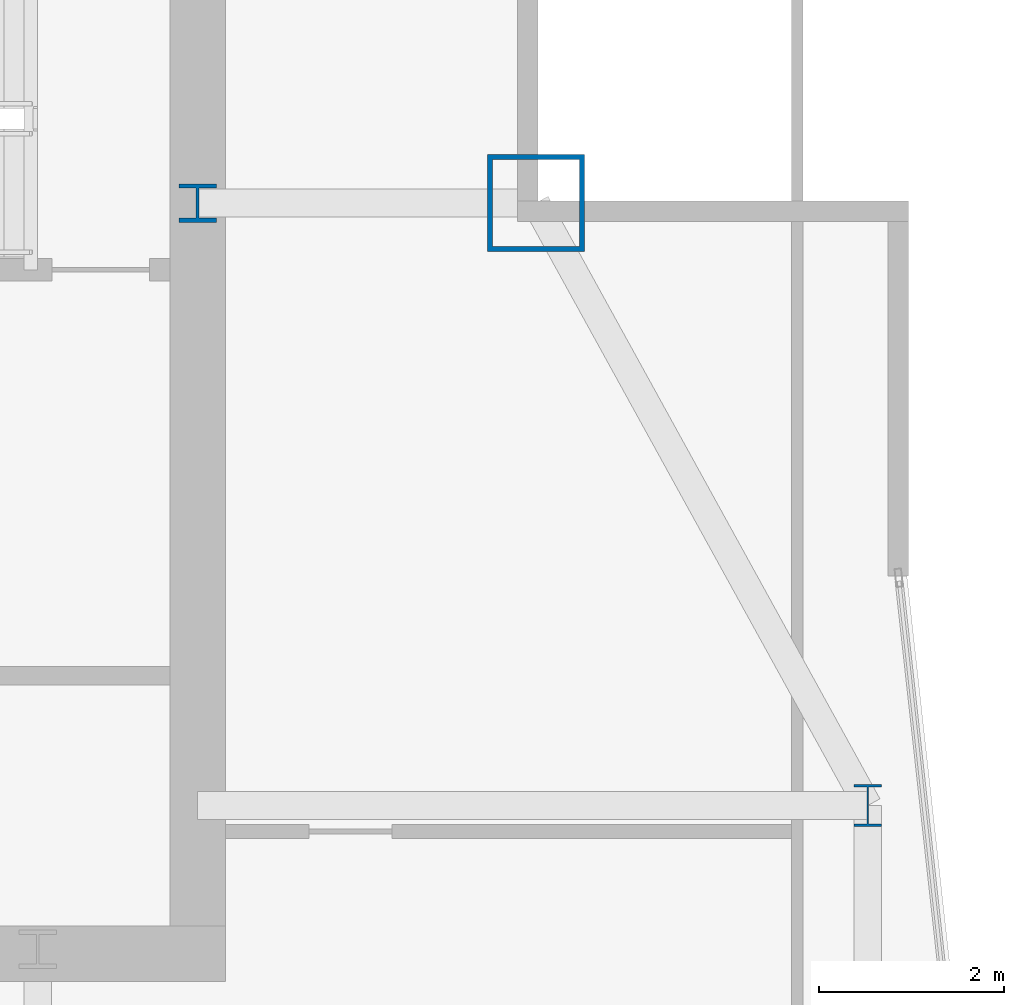
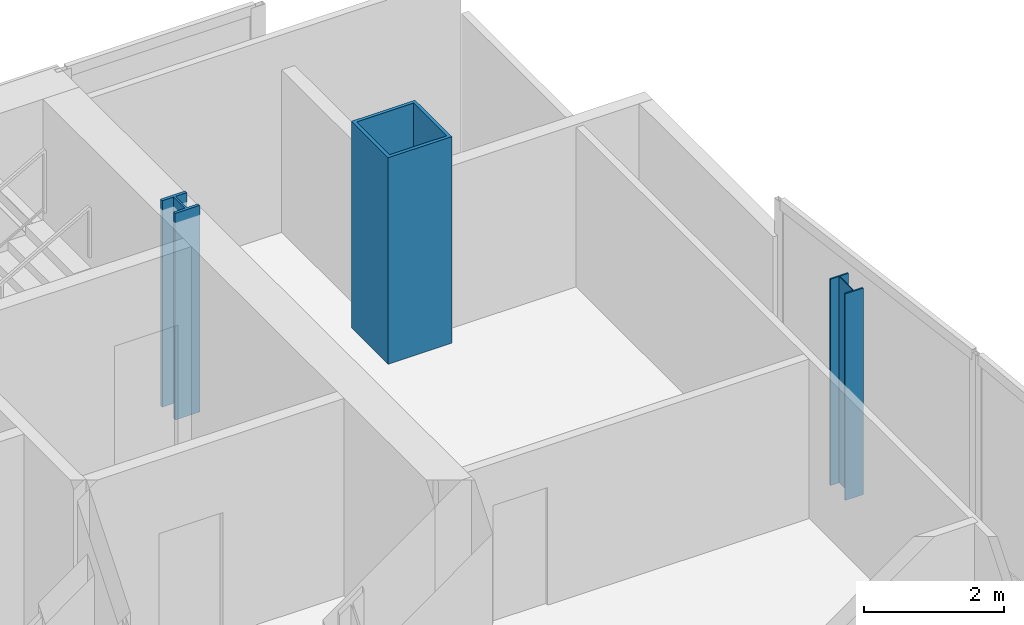
# One storey, part 4 of 29: 3 columns.
"""IFC4 building model written with IfcOpenShell, lengths in metres."""

from ifc_helpers import new_model, si_unit, direction, frame, origin, origin_2d, place, context, subcontext, project, spatial, hollow_rectangle, i_section, extrude, material, material_profile, profile_set, type_object, element, save


model = new_model("IFC4")

# Units and contexts
model_context = context("Model", 3, precision=1e-05, world=origin(), true_north=direction((0.0, 1.0)))
body_context = subcontext(model_context, "Body", "Model", "MODEL_VIEW")
ifc_project = project(units=[si_unit("LENGTHUNIT", "METRE"), si_unit("AREAUNIT", "SQUARE_METRE"), si_unit("VOLUMEUNIT", "CUBIC_METRE"), si_unit("PLANEANGLEUNIT", "RADIAN"), si_unit("MASSUNIT", "GRAM", prefix="KILO")], contexts=[model_context])

# Site, building, storey
site_placement = place(None, origin())
site = spatial("IfcSite", under=ifc_project, at=site_placement, CompositionType="ELEMENT")
building_placement = place(site_placement, origin())
building = spatial("IfcBuilding", under=site, at=building_placement, Name="Khoronbel Lancet Exchange", CompositionType="ELEMENT")
storey_placement = place(building_placement, frame((0.0, 0.0, 242.60009765625)))
storey = spatial("IfcBuildingStorey", under=building, at=storey_placement, Name="L62", CompositionType="ELEMENT", Elevation=242.60009765625)

# Columns
ifc_material_1 = material(Name="Steel S355", Category="steel")
ifc_material_profile_1 = material_profile(ifc_material_1, i_section(OverallWidth=0.406005859375, OverallDepth=0.416015625, WebThickness=0.02978515625, FlangeThickness=0.048095703125, at=origin_2d()), Name="HD 400x382")
ifc_profile_set_1 = profile_set([ifc_material_profile_1], Name="Steel S355")
column_type_1 = type_object("IfcColumnType", Name="COL-IC3", PredefinedType="COLUMN", material=ifc_profile_set_1)
column_1_placement = place(storey_placement, frame((56.39990234375, 49.699951171875, 0.0), z_axis=(0.0, 0.0, 1.0), x_axis=(1.0, 0.0, 0.0)))
element("IfcColumn", 1, at=column_1_placement, inside=storey, type_object=column_type_1, Name="Core-flank plumb transfer column CFE L62", PredefinedType="COLUMN", context=body_context, shape_type="SweptSolid", body=[
    extrude(i_section(OverallWidth=0.406005859375, OverallDepth=0.416015625, WebThickness=0.02978515625, FlangeThickness=0.048095703125, at=origin_2d()), origin(), (0.0, 0.0, 1.0), 3.599853515625),
])
ifc_material_profile_2 = material_profile(ifc_material_1, i_section(OverallWidth=0.300048828125, OverallDepth=0.449951171875, WebThickness=0.013916015625, FlangeThickness=0.02587890625, at=origin_2d()), Name="HEB 450")
ifc_profile_set_2 = profile_set([ifc_material_profile_2], Name="Steel S355")
column_type_2 = type_object("IfcColumnType", Name="COL-LC2", PredefinedType="COLUMN", material=ifc_profile_set_2)
column_2_placement = place(storey_placement, frame((63.6298828125, 43.199951171875, 0.0), z_axis=(0.0, 0.0, 1.0), x_axis=(1.0, 0.0, 0.0)))
element("IfcColumn", 2, at=column_2_placement, inside=storey, type_object=column_type_2, Name="Structural column EC-4 L62", PredefinedType="COLUMN", context=body_context, shape_type="SweptSolid", body=[
    extrude(i_section(OverallWidth=0.300048828125, OverallDepth=0.449951171875, WebThickness=0.013916015625, FlangeThickness=0.02587890625, at=origin_2d()), origin(), (0.0, 0.0, 1.0), 3.599853515625),
])
ifc_material_2 = material(Name="Steel S460", Category="steel")
ifc_material_profile_3 = material_profile(ifc_material_2, hollow_rectangle(XDim=1.050048828125, YDim=1.050048828125, WallThickness=0.054931640625, at=origin_2d()), Name="BOX 1050x1050x55")
ifc_profile_set_3 = profile_set([ifc_material_profile_3], Name="Steel S460")
column_type_3 = type_object("IfcColumnType", Name="COL-MC6", PredefinedType="COLUMN", material=ifc_profile_set_3)
column_3_placement = place(storey_placement, frame((60.050048828125, 49.699951171875, 0.0), z_axis=(0.0, 0.0, 1.0), x_axis=(1.0, 0.0, 0.0)))
element("IfcColumn", 3, at=column_3_placement, inside=storey, type_object=column_type_3, Name="Structural column MC-NE L62", PredefinedType="COLUMN", context=body_context, shape_type="SweptSolid", body=[
    extrude(hollow_rectangle(XDim=1.050048828125, YDim=1.050048828125, WallThickness=0.054931640625, at=origin_2d()), origin(), (0.0, 0.0, 1.0), 3.599853515625),
])

save(model, "model.ifc")
